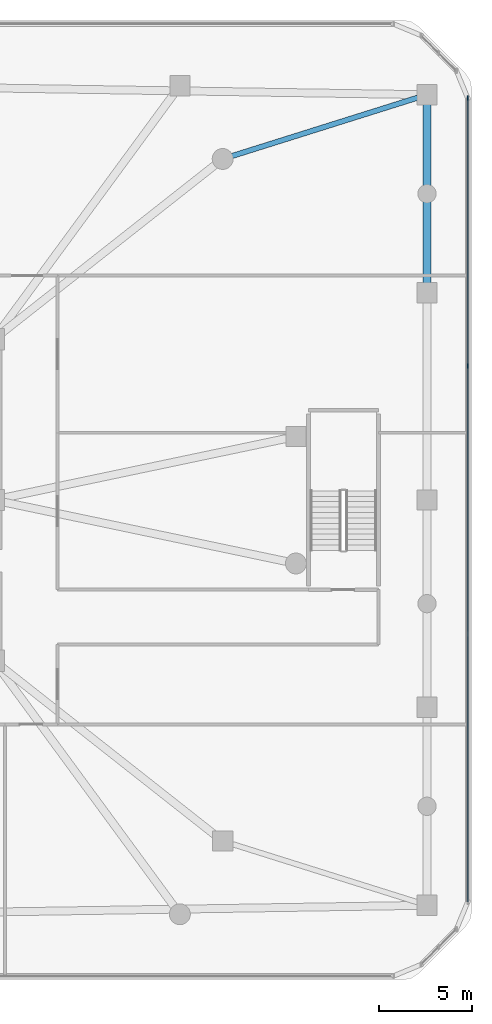
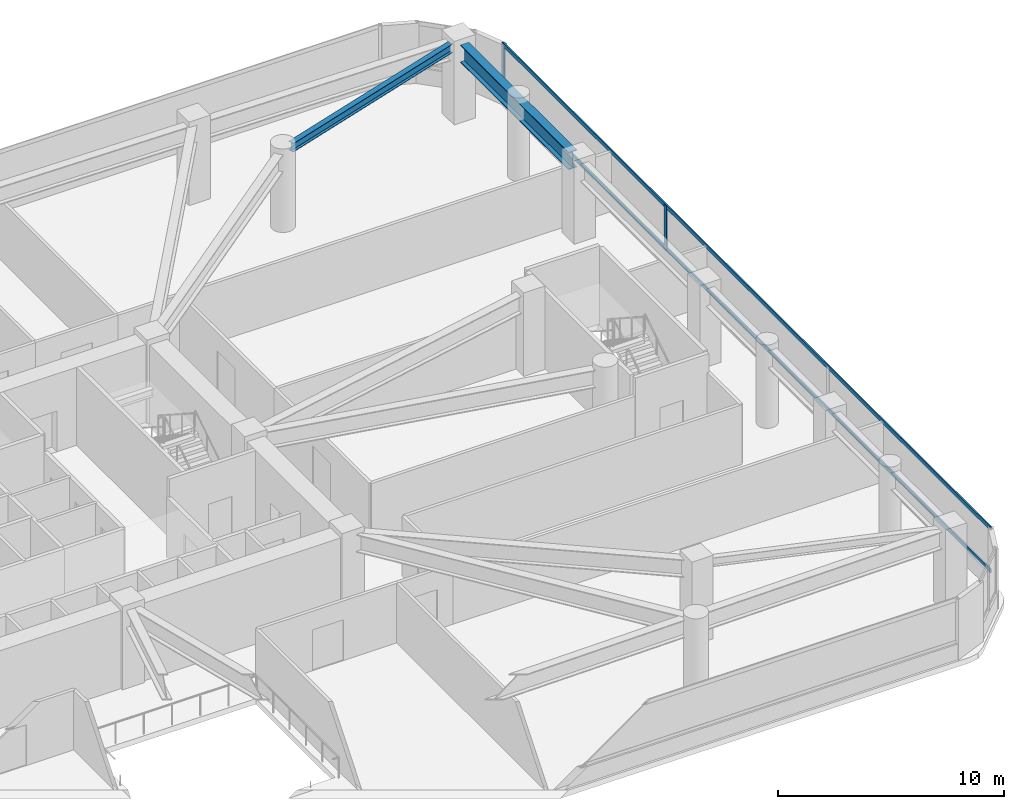
# One storey, part 10 of 21: 4 members, 2 beams, 1 element without a shape of its own.
"""IFC4 building model written with IfcOpenShell, lengths in metres."""

from ifc_helpers import new_model, si_unit, derived_unit, direction, frame, origin, origin_2d, place, context, subcontext, project, spatial, rectangle, i_section, extrude, material, material_profile, profile_set, type_object, element, aggregate, save


model = new_model("IFC4")

# Units and contexts
model_context = context("Model", 3, precision=1e-05, world=origin(), true_north=direction((0.0, 1.0)))
body_context = subcontext(model_context, "Body", "Model", "MODEL_VIEW")
ifc_project = project(units=[si_unit("LENGTHUNIT", "METRE"), si_unit("AREAUNIT", "SQUARE_METRE"), si_unit("VOLUMEUNIT", "CUBIC_METRE"), si_unit("PLANEANGLEUNIT", "RADIAN"), si_unit("MASSUNIT", "GRAM", prefix="KILO"), derived_unit("THERMALTRANSMITTANCEUNIT", [(si_unit("POWERUNIT", "WATT"), 1), (si_unit("LENGTHUNIT", "METRE"), -2), (si_unit("THERMODYNAMICTEMPERATUREUNIT", "KELVIN"), -1)])], contexts=[model_context])

# Site, building, storey
site_placement = place(None, origin())
site = spatial("IfcSite", under=ifc_project, at=site_placement, CompositionType="ELEMENT")
building_placement = place(site_placement, origin())
building = spatial("IfcBuilding", under=site, at=building_placement, Name="Koralith Skygarden Medical Center", CompositionType="ELEMENT")
storey_placement = place(building_placement, frame((0.0, 0.0, 5.39990234375)))
storey = spatial("IfcBuildingStorey", under=building, at=storey_placement, Name="L01", CompositionType="ELEMENT", Elevation=5.39990234375)

# Curtain wall, members
ifc_material_1 = material(Name="Clear Laminated Glass", Category="glass")
curtain_wall_type = type_object("IfcCurtainWallType", Name="CW-1 Transit & Podium Acoustic Curtain Wall", PredefinedType="NOTDEFINED", material=ifc_material_1)
curtain_wall_placement = place(storey_placement, origin())
curtain_wall = element("IfcCurtainWall", 1, at=curtain_wall_placement, inside=storey, type_object=curtain_wall_type, Name="Curtain Wall CW-L01-E", PredefinedType="NOTDEFINED")
ifc_material_2 = material(Name="Aluminium 6063-T6", Category="aluminium")
ifc_material_profile_1 = material_profile(ifc_material_2, rectangle(XDim=0.068115234375, YDim=0.239990234375, at=origin_2d()), Name="MUL68X240")
ifc_profile_set_1 = profile_set([ifc_material_profile_1], Name="Aluminium 6063-T6")
member_type_1 = type_object("IfcMemberType", Name="CW-1 Extruded Mullion 68x240", PredefinedType="MULLION", material=ifc_profile_set_1)
member_1_placement = place(storey_placement, frame((73.580078125, 33.073974609375, 0.85009765625), z_axis=(0.0, 0.0, 1.0), x_axis=(1.0, 0.0, 0.0)))
member_1 = element("IfcMember", 2, at=member_1_placement, type_object=member_type_1, Name="CW-L01-E Mullion 3", PredefinedType="MULLION", context=body_context, shape_type="SweptSolid", body=[
    extrude(rectangle(XDim=0.068115234375, YDim=0.239990234375, at=origin_2d()), origin(), (0.0, 0.0, 1.0), 2.389892578125),
])
member_2_placement = place(storey_placement, frame((73.580078125, 47.4208984375, 0.85009765625), z_axis=(0.0, 0.0, 1.0), x_axis=(1.0, 0.0, 0.0)))
member_2 = element("IfcMember", 3, at=member_2_placement, type_object=member_type_1, Name="CW-L01-E Mullion 4", PredefinedType="MULLION", context=body_context, shape_type="SweptSolid", body=[
    extrude(rectangle(XDim=0.068115234375, YDim=0.239990234375, at=origin_2d()), origin(), (0.0, 0.0, 1.0), 2.389892578125),
])
ifc_material_profile_2 = material_profile(ifc_material_2, rectangle(XDim=0.06298828125, YDim=0.216064453125, at=origin_2d()), Name="TRN63X216")
ifc_profile_set_2 = profile_set([ifc_material_profile_2], Name="Aluminium 6063-T6")
member_type_2 = type_object("IfcMemberType", Name="CW-1 Thermal Transom 63x216", PredefinedType="USERDEFINED", material=ifc_profile_set_2)
member_3_placement = place(storey_placement, frame((73.580078125, 4.37890625, 0.900146484375), z_axis=(0.0, 1.0, 0.0), x_axis=(-1.0, 0.0, 0.0)))
member_3 = element("IfcMember", 4, at=member_3_placement, type_object=member_type_2, Name="CW-L01-E Transom 1", ObjectType="TRANSOM", PredefinedType="USERDEFINED", context=body_context, shape_type="SweptSolid", body=[
    extrude(rectangle(XDim=0.06298828125, YDim=0.216064453125, at=origin_2d()), origin(), (0.0, 0.0, 1.0), 43.0419921875),
])
member_4_placement = place(storey_placement, frame((73.580078125, 4.37890625, 3.190185546875), z_axis=(0.0, 1.0, 0.0), x_axis=(-1.0, 0.0, 0.0)))
member_4 = element("IfcMember", 5, at=member_4_placement, type_object=member_type_2, Name="CW-L01-E Transom 2", ObjectType="TRANSOM", PredefinedType="USERDEFINED", context=body_context, shape_type="SweptSolid", body=[
    extrude(rectangle(XDim=0.06298828125, YDim=0.216064453125, at=origin_2d()), origin(), (0.0, 0.0, 1.0), 43.0419921875),
])
aggregate(curtain_wall, [member_1, member_2, member_3, member_4])

# Beams
ifc_material_3 = material(Name="Steel ASTM A992 Grade 50", Category="steel")
ifc_material_profile_3 = material_profile(ifc_material_3, i_section(OverallWidth=0.423095703125, OverallDepth=0.947998046875, WebThickness=0.02392578125, FlangeThickness=0.042724609375, at=origin_2d()), Name="W36X302")
ifc_profile_set_3 = profile_set([ifc_material_profile_3], Name="Steel ASTM A992 Grade 50")
beam_type_1 = type_object("IfcBeamType", Name="Podium Concourse Girder W36X302", PredefinedType="BEAM", material=ifc_profile_set_3)
beam_1_placement = place(storey_placement, frame((71.39990234375, 37.52001953125, 3.72607421875), z_axis=(0.0, 1.0, 0.0), x_axis=(-1.0, 0.0, 0.0)))
element("IfcBeam", 6, at=beam_1_placement, inside=storey, type_object=beam_type_1, Name="L01 Podium Perimeter Beam PB-08", PredefinedType="BEAM", context=body_context, shape_type="SweptSolid", body=[
    extrude(i_section(OverallWidth=0.423095703125, OverallDepth=0.947998046875, WebThickness=0.02392578125, FlangeThickness=0.042724609375, at=origin_2d()), origin(), (0.0, 0.0, 1.0), 9.56005859375),
])
ifc_material_profile_4 = material_profile(ifc_material_3, i_section(OverallWidth=0.281982421875, OverallDepth=0.467041015625, WebThickness=0.01220703125, FlangeThickness=0.01953125, at=origin_2d()), Name="W18X86")
ifc_profile_set_4 = profile_set([ifc_material_profile_4], Name="Steel ASTM A992 Grade 50")
beam_type_2 = type_object("IfcBeamType", Name="Podium Floor Joist W18X86", PredefinedType="JOIST", material=ifc_profile_set_4)
beam_2_placement = place(storey_placement, frame((60.9560546875, 44.31591796875, 3.967041015625), z_axis=(0.95394817002, 0.29997148017, 0.0), x_axis=(-0.29997148017, 0.95394817002, 0.0)))
element("IfcBeam", 7, at=beam_2_placement, inside=storey, type_object=beam_type_2, Name="L01 Podium Floor Joist PJ-04", PredefinedType="JOIST", context=body_context, shape_type="SweptSolid", body=[
    extrude(i_section(OverallWidth=0.281982421875, OverallDepth=0.467041015625, WebThickness=0.01220703125, FlangeThickness=0.01953125, at=origin_2d()), origin(), (0.0, 0.0, 1.0), 10.42822265625),
])

save(model, "model.ifc")
